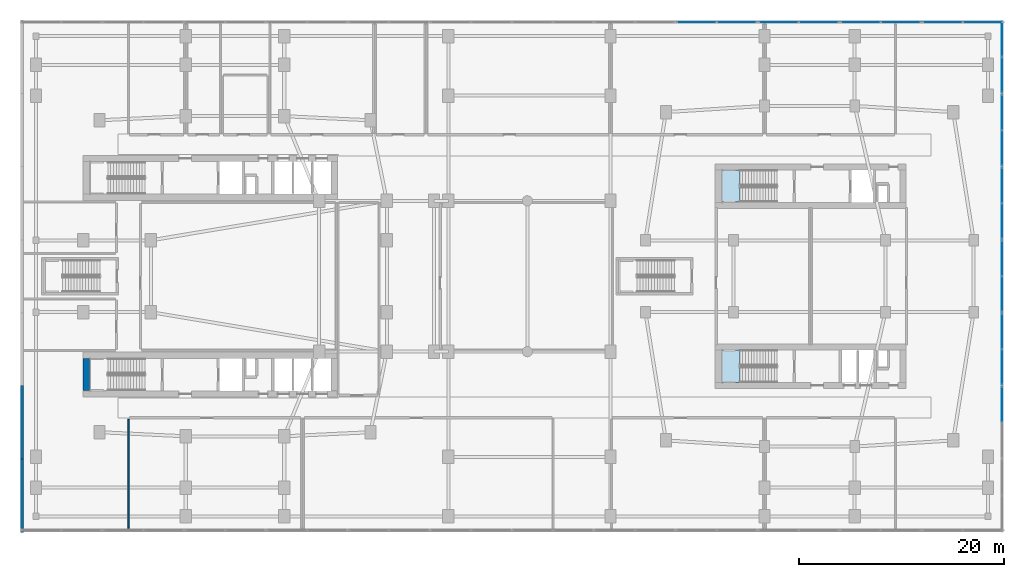
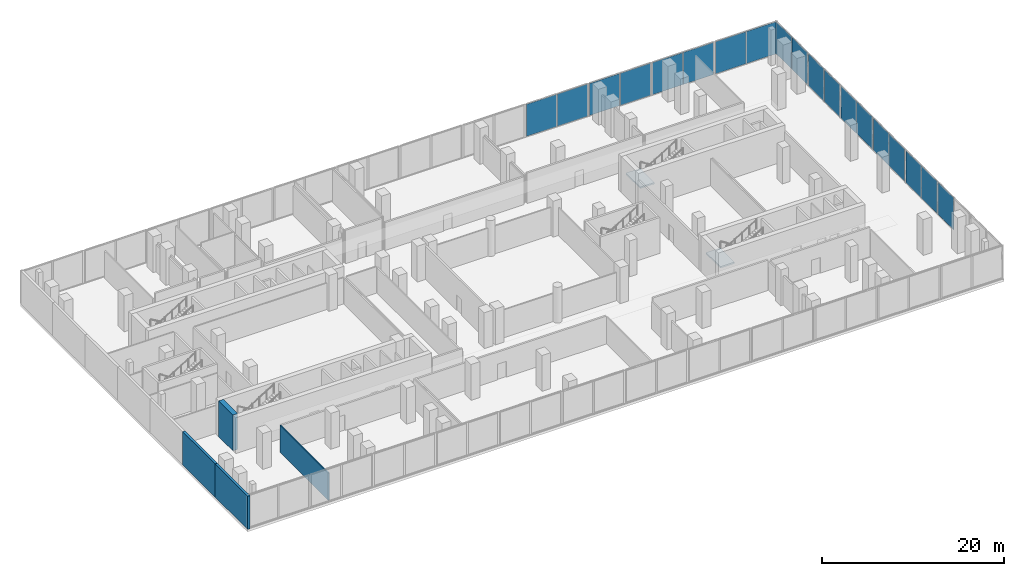
# One storey, part 12 of 23: 19 plates, 4 walls, 2 slabs, 12 elements without a shape of their own.
"""IFC4 building model written with IfcOpenShell, lengths in metres."""

from ifc_helpers import new_model, si_unit, derived_unit, direction, frame, frame_2d, origin, origin_2d, place, context, subcontext, project, spatial, polyline, rectangle, outline, extrude, material, layer, layer_set, type_object, element, aggregate, save


model = new_model("IFC4")

# Units and contexts
model_context = context("Model", 3, precision=1e-05, world=origin(), true_north=direction((0.0, 1.0)))
body_context = subcontext(model_context, "Body", "Model", "MODEL_VIEW")
ifc_project = project(units=[si_unit("LENGTHUNIT", "METRE"), si_unit("AREAUNIT", "SQUARE_METRE"), si_unit("VOLUMEUNIT", "CUBIC_METRE"), si_unit("PLANEANGLEUNIT", "RADIAN"), si_unit("MASSUNIT", "GRAM", prefix="KILO"), derived_unit("THERMALTRANSMITTANCEUNIT", [(si_unit("POWERUNIT", "WATT"), 1), (si_unit("LENGTHUNIT", "METRE"), -2), (si_unit("THERMODYNAMICTEMPERATUREUNIT", "KELVIN"), -1)])], contexts=[model_context])

# Site, building, storey
site_placement = place(None, origin())
site = spatial("IfcSite", under=ifc_project, at=site_placement, CompositionType="ELEMENT")
building_placement = place(site_placement, origin())
building = spatial("IfcBuilding", under=site, at=building_placement, Name="Kivonza Crest Hotel", CompositionType="ELEMENT")
storey_placement = place(building_placement, frame((0.0, 0.0, 5.39990234375)))
storey = spatial("IfcBuildingStorey", under=building, at=storey_placement, Name="L01", CompositionType="ELEMENT", Elevation=5.39990234375)

# Curtain wall, plate
ifc_material_1 = material(Name="Anodised bronze aluminium and low-E double glazing", Category="aluminium")
ifc_layer_1 = layer(ifc_material_1, 0.219970703125)
ifc_layer_set_1 = layer_set([ifc_layer_1], Name="Anodised bronze aluminium and low-E double glazing")
curtain_wall_type = type_object("IfcCurtainWallType", Name="CW-SYS-1", PredefinedType="NOTDEFINED", material=ifc_layer_set_1)
curtain_wall_1_placement = place(storey_placement, origin())
curtain_wall_1 = element("IfcCurtainWall", 1, at=curtain_wall_1_placement, inside=storey, type_object=curtain_wall_type, Name="L01 unitised curtain wall CW-POD-L01-14", PredefinedType="NOTDEFINED")
ifc_material_2 = material(Name="Acoustic triple-laminated low-E glazing", Category="glass")
ifc_layer_2 = layer(ifc_material_2, 0.035888671875)
ifc_layer_set_2 = layer_set([ifc_layer_2], Name="Acoustic triple-laminated low-E glazing")
plate_type = type_object("IfcPlateType", Name="CW-PNL-36", PredefinedType="CURTAIN_PANEL", material=ifc_layer_set_2)
plate_1_placement = place(storey_placement, frame((95.760009765625, 12.501220703125, 0.0751953125), z_axis=(0.0, 0.0, 1.0), x_axis=(0.0, 1.0, 0.0)))
plate_1 = element("IfcPlate", 2, at=plate_1_placement, type_object=plate_type, Name="CW-1 panel 2.1", PredefinedType="CURTAIN_PANEL", context=body_context, shape_type="SweptSolid", body=[
    extrude(rectangle(XDim=3.407470703125, YDim=0.035888671875, at=origin_2d()), origin(), (0.0, 0.0, 1.0), 4.300048828125),
])
aggregate(curtain_wall_1, [plate_1])

# Curtain wall, plates
curtain_wall_2_placement = place(storey_placement, origin())
curtain_wall_2 = element("IfcCurtainWall", 3, at=curtain_wall_2_placement, inside=storey, type_object=curtain_wall_type, Name="L01 unitised curtain wall CW-POD-L01-15", PredefinedType="NOTDEFINED")
plate_2_placement = place(storey_placement, frame((95.760009765625, 16.138671875, 0.0751953125), z_axis=(0.0, 0.0, 1.0), x_axis=(0.0, 1.0, 0.0)))
plate_2 = element("IfcPlate", 4, at=plate_2_placement, type_object=plate_type, Name="CW-1 panel 1.1", PredefinedType="CURTAIN_PANEL", context=body_context, shape_type="SweptSolid", body=[
    extrude(rectangle(XDim=3.407470703125, YDim=0.035888671875, at=origin_2d()), origin(), (0.0, 0.0, 1.0), 4.300048828125),
])
plate_3_placement = place(storey_placement, frame((95.760009765625, 19.621337890625, 0.0751953125), z_axis=(0.0, 0.0, 1.0), x_axis=(0.0, 1.0, 0.0)))
plate_3 = element("IfcPlate", 5, at=plate_3_placement, type_object=plate_type, Name="CW-1 panel 2.1", PredefinedType="CURTAIN_PANEL", context=body_context, shape_type="SweptSolid", body=[
    extrude(rectangle(XDim=3.407470703125, YDim=0.035888671875, at=origin_2d()), origin(), (0.0, 0.0, 1.0), 4.300048828125),
])
aggregate(curtain_wall_2, [plate_2, plate_3])

curtain_wall_3_placement = place(storey_placement, origin())
curtain_wall_3 = element("IfcCurtainWall", 6, at=curtain_wall_3_placement, inside=storey, type_object=curtain_wall_type, Name="L01 unitised curtain wall CW-POD-L01-16", PredefinedType="NOTDEFINED")
plate_4_placement = place(storey_placement, frame((95.760009765625, 23.2587890625, 0.0751953125), z_axis=(0.0, 0.0, 1.0), x_axis=(0.0, 1.0, 0.0)))
plate_4 = element("IfcPlate", 7, at=plate_4_placement, type_object=plate_type, Name="CW-1 panel 1.1", PredefinedType="CURTAIN_PANEL", context=body_context, shape_type="SweptSolid", body=[
    extrude(rectangle(XDim=3.407470703125, YDim=0.035888671875, at=origin_2d()), origin(), (0.0, 0.0, 1.0), 4.300048828125),
])
plate_5_placement = place(storey_placement, frame((95.760009765625, 26.7412109375, 0.0751953125), z_axis=(0.0, 0.0, 1.0), x_axis=(0.0, 1.0, 0.0)))
plate_5 = element("IfcPlate", 8, at=plate_5_placement, type_object=plate_type, Name="CW-1 panel 2.1", PredefinedType="CURTAIN_PANEL", context=body_context, shape_type="SweptSolid", body=[
    extrude(rectangle(XDim=3.407470703125, YDim=0.035888671875, at=origin_2d()), origin(), (0.0, 0.0, 1.0), 4.300048828125),
])
aggregate(curtain_wall_3, [plate_4, plate_5])

curtain_wall_4_placement = place(storey_placement, origin())
curtain_wall_4 = element("IfcCurtainWall", 9, at=curtain_wall_4_placement, inside=storey, type_object=curtain_wall_type, Name="L01 unitised curtain wall CW-POD-L01-17", PredefinedType="NOTDEFINED")
plate_6_placement = place(storey_placement, frame((95.760009765625, 30.378662109375, 0.0751953125), z_axis=(0.0, 0.0, 1.0), x_axis=(0.0, 1.0, 0.0)))
plate_6 = element("IfcPlate", 10, at=plate_6_placement, type_object=plate_type, Name="CW-1 panel 1.1", PredefinedType="CURTAIN_PANEL", context=body_context, shape_type="SweptSolid", body=[
    extrude(rectangle(XDim=3.407470703125, YDim=0.035888671875, at=origin_2d()), origin(), (0.0, 0.0, 1.0), 4.300048828125),
])
plate_7_placement = place(storey_placement, frame((95.760009765625, 33.861328125, 0.0751953125), z_axis=(0.0, 0.0, 1.0), x_axis=(0.0, 1.0, 0.0)))
plate_7 = element("IfcPlate", 11, at=plate_7_placement, type_object=plate_type, Name="CW-1 panel 2.1", PredefinedType="CURTAIN_PANEL", context=body_context, shape_type="SweptSolid", body=[
    extrude(rectangle(XDim=3.407470703125, YDim=0.035888671875, at=origin_2d()), origin(), (0.0, 0.0, 1.0), 4.300048828125),
])
aggregate(curtain_wall_4, [plate_6, plate_7])

curtain_wall_5_placement = place(storey_placement, origin())
curtain_wall_5 = element("IfcCurtainWall", 12, at=curtain_wall_5_placement, inside=storey, type_object=curtain_wall_type, Name="L01 unitised curtain wall CW-POD-L01-18", PredefinedType="NOTDEFINED")
plate_8_placement = place(storey_placement, frame((95.760009765625, 37.498779296875, 0.0751953125), z_axis=(0.0, 0.0, 1.0), x_axis=(0.0, 1.0, 0.0)))
plate_8 = element("IfcPlate", 13, at=plate_8_placement, type_object=plate_type, Name="CW-1 panel 1.1", PredefinedType="CURTAIN_PANEL", context=body_context, shape_type="SweptSolid", body=[
    extrude(rectangle(XDim=3.407470703125, YDim=0.035888671875, at=origin_2d()), origin(), (0.0, 0.0, 1.0), 4.300048828125),
])
plate_9_placement = place(storey_placement, frame((95.760009765625, 40.981201171875, 0.0751953125), z_axis=(0.0, 0.0, 1.0), x_axis=(0.0, 1.0, 0.0)))
plate_9 = element("IfcPlate", 14, at=plate_9_placement, type_object=plate_type, Name="CW-1 panel 2.1", PredefinedType="CURTAIN_PANEL", context=body_context, shape_type="SweptSolid", body=[
    extrude(rectangle(XDim=3.407470703125, YDim=0.035888671875, at=origin_2d()), origin(), (0.0, 0.0, 1.0), 4.300048828125),
])
aggregate(curtain_wall_5, [plate_8, plate_9])

curtain_wall_6_placement = place(storey_placement, origin())
curtain_wall_6 = element("IfcCurtainWall", 15, at=curtain_wall_6_placement, inside=storey, type_object=curtain_wall_type, Name="L01 unitised curtain wall CW-POD-L01-19", PredefinedType="NOTDEFINED")
plate_10_placement = place(storey_placement, frame((95.760009765625, 44.61865234375, 0.0751953125), z_axis=(0.0, 0.0, 1.0), x_axis=(0.0, 1.0, 0.0)))
plate_10 = element("IfcPlate", 16, at=plate_10_placement, type_object=plate_type, Name="CW-1 panel 1.1", PredefinedType="CURTAIN_PANEL", context=body_context, shape_type="SweptSolid", body=[
    extrude(rectangle(XDim=3.407470703125, YDim=0.035888671875, at=origin_2d()), origin(), (0.0, 0.0, 1.0), 4.300048828125),
])
plate_11_placement = place(storey_placement, frame((95.760009765625, 48.101318359375, 0.0751953125), z_axis=(0.0, 0.0, 1.0), x_axis=(0.0, 1.0, 0.0)))
plate_11 = element("IfcPlate", 17, at=plate_11_placement, type_object=plate_type, Name="CW-1 panel 2.1", PredefinedType="CURTAIN_PANEL", context=body_context, shape_type="SweptSolid", body=[
    extrude(rectangle(XDim=3.407470703125, YDim=0.035888671875, at=origin_2d()), origin(), (0.0, 0.0, 1.0), 4.300048828125),
])
aggregate(curtain_wall_6, [plate_10, plate_11])

curtain_wall_7_placement = place(storey_placement, origin())
curtain_wall_7 = element("IfcCurtainWall", 18, at=curtain_wall_7_placement, inside=storey, type_object=curtain_wall_type, Name="L01 unitised curtain wall CW-POD-L01-20", PredefinedType="NOTDEFINED")
plate_12_placement = place(storey_placement, frame((93.884521484375, 49.760009765625, 0.0751953125), z_axis=(0.0, 0.0, 1.0), x_axis=(-1.0, 0.0, 0.0)))
plate_12 = element("IfcPlate", 19, at=plate_12_placement, type_object=plate_type, Name="CW-1 panel 1.1", PredefinedType="CURTAIN_PANEL", context=body_context, shape_type="SweptSolid", body=[
    extrude(rectangle(XDim=3.841064453125, YDim=0.035888671875, at=origin_2d()), origin(), (0.0, 0.0, 1.0), 4.300048828125),
])
plate_13_placement = place(storey_placement, frame((89.968505859375, 49.760009765625, 0.0751953125), z_axis=(0.0, 0.0, 1.0), x_axis=(-1.0, 0.0, 0.0)))
plate_13 = element("IfcPlate", 20, at=plate_13_placement, type_object=plate_type, Name="CW-1 panel 2.1", PredefinedType="CURTAIN_PANEL", context=body_context, shape_type="SweptSolid", body=[
    extrude(rectangle(XDim=3.841064453125, YDim=0.035888671875, at=origin_2d()), origin(), (0.0, 0.0, 1.0), 4.300048828125),
])
aggregate(curtain_wall_7, [plate_12, plate_13])

curtain_wall_8_placement = place(storey_placement, origin())
curtain_wall_8 = element("IfcCurtainWall", 21, at=curtain_wall_8_placement, inside=storey, type_object=curtain_wall_type, Name="L01 unitised curtain wall CW-POD-L01-21", PredefinedType="NOTDEFINED")
plate_14_placement = place(storey_placement, frame((85.897705078125, 49.760009765625, 0.0751953125), z_axis=(0.0, 0.0, 1.0), x_axis=(-1.0, 0.0, 0.0)))
plate_14 = element("IfcPlate", 22, at=plate_14_placement, type_object=plate_type, Name="CW-1 panel 1.1", PredefinedType="CURTAIN_PANEL", context=body_context, shape_type="SweptSolid", body=[
    extrude(rectangle(XDim=3.840576171875, YDim=0.035888671875, at=origin_2d()), origin(), (0.0, 0.0, 1.0), 4.300048828125),
])
plate_15_placement = place(storey_placement, frame((81.982177734375, 49.760009765625, 0.0751953125), z_axis=(0.0, 0.0, 1.0), x_axis=(-1.0, 0.0, 0.0)))
plate_15 = element("IfcPlate", 23, at=plate_15_placement, type_object=plate_type, Name="CW-1 panel 2.1", PredefinedType="CURTAIN_PANEL", context=body_context, shape_type="SweptSolid", body=[
    extrude(rectangle(XDim=3.840576171875, YDim=0.035888671875, at=origin_2d()), origin(), (0.0, 0.0, 1.0), 4.300048828125),
])
aggregate(curtain_wall_8, [plate_14, plate_15])

curtain_wall_9_placement = place(storey_placement, origin())
curtain_wall_9 = element("IfcCurtainWall", 24, at=curtain_wall_9_placement, inside=storey, type_object=curtain_wall_type, Name="L01 unitised curtain wall CW-POD-L01-22", PredefinedType="NOTDEFINED")
plate_16_placement = place(storey_placement, frame((77.91162109375, 49.760009765625, 0.0751953125), z_axis=(0.0, 0.0, 1.0), x_axis=(-1.0, 0.0, 0.0)))
plate_16 = element("IfcPlate", 25, at=plate_16_placement, type_object=plate_type, Name="CW-1 panel 1.1", PredefinedType="CURTAIN_PANEL", context=body_context, shape_type="SweptSolid", body=[
    extrude(rectangle(XDim=3.841064453125, YDim=0.035888671875, at=origin_2d()), origin(), (0.0, 0.0, 1.0), 4.300048828125),
])
plate_17_placement = place(storey_placement, frame((73.99560546875, 49.760009765625, 0.0751953125), z_axis=(0.0, 0.0, 1.0), x_axis=(-1.0, 0.0, 0.0)))
plate_17 = element("IfcPlate", 26, at=plate_17_placement, type_object=plate_type, Name="CW-1 panel 2.1", PredefinedType="CURTAIN_PANEL", context=body_context, shape_type="SweptSolid", body=[
    extrude(rectangle(XDim=3.841064453125, YDim=0.035888671875, at=origin_2d()), origin(), (0.0, 0.0, 1.0), 4.300048828125),
])
aggregate(curtain_wall_9, [plate_16, plate_17])

curtain_wall_10_placement = place(storey_placement, origin())
curtain_wall_10 = element("IfcCurtainWall", 27, at=curtain_wall_10_placement, inside=storey, type_object=curtain_wall_type, Name="L01 unitised curtain wall CW-POD-L01-23", PredefinedType="NOTDEFINED")
plate_18_placement = place(storey_placement, frame((69.924560546875, 49.760009765625, 0.0751953125), z_axis=(0.0, 0.0, 1.0), x_axis=(-1.0, 0.0, 0.0)))
plate_18 = element("IfcPlate", 28, at=plate_18_placement, type_object=plate_type, Name="CW-1 panel 1.1", PredefinedType="CURTAIN_PANEL", context=body_context, shape_type="SweptSolid", body=[
    extrude(rectangle(XDim=3.841064453125, YDim=0.035888671875, at=origin_2d()), origin(), (0.0, 0.0, 1.0), 4.300048828125),
])
plate_19_placement = place(storey_placement, frame((66.008544921875, 49.760009765625, 0.0751953125), z_axis=(0.0, 0.0, 1.0), x_axis=(-1.0, 0.0, 0.0)))
plate_19 = element("IfcPlate", 29, at=plate_19_placement, type_object=plate_type, Name="CW-1 panel 2.1", PredefinedType="CURTAIN_PANEL", context=body_context, shape_type="SweptSolid", body=[
    extrude(rectangle(XDim=3.841064453125, YDim=0.035888671875, at=origin_2d()), origin(), (0.0, 0.0, 1.0), 4.300048828125),
])
aggregate(curtain_wall_10, [plate_18, plate_19])

# Stair, slab
ifc_material_3 = material(Name="Concrete C40/50", Category="concrete")
stair_type = type_object("IfcStairType", Name="ST-DL-28R", PredefinedType="HALF_TURN_STAIR", material=ifc_material_3)
stair_1_placement = place(storey_placement, origin())
stair_1 = element("IfcStair", 30, at=stair_1_placement, inside=storey, type_object=stair_type, Name="L01 Protected Exit Stair ST-T2-N", PredefinedType="HALF_TURN_STAIR")
ifc_layer_3 = layer(ifc_material_3, 0.199951171875)
ifc_layer_set_3 = layer_set([ifc_layer_3], Name="Concrete C40/50")
slab_type = type_object("IfcSlabType", Name="SL-LAND-200", PredefinedType="LANDING", material=ifc_layer_set_3)
slab_1_placement = place(storey_placement, frame((0.0, 0.0, 2.2001953125)))
slab_1 = element("IfcSlab", 31, at=slab_1_placement, type_object=slab_type, Name="ST-T2-N landing 1", PredefinedType="LANDING", context=body_context, shape_type="SweptSolid", body=[
    extrude(outline(polyline([(70.199951171875, 35.360107421875), (68.39990234375, 35.360107421875), (68.39990234375, 32.219970703125), (70.199951171875, 32.219970703125), (70.199951171875, 35.360107421875)])), origin(), (0.0, 0.0, 1.0), 0.199951171875),
])
aggregate(stair_1, [slab_1])

stair_2_placement = place(storey_placement, origin())
stair_2 = element("IfcStair", 32, at=stair_2_placement, inside=storey, type_object=stair_type, Name="L01 Protected Exit Stair ST-T2-S", PredefinedType="HALF_TURN_STAIR")
slab_2_placement = place(storey_placement, frame((0.0, 0.0, 2.2001953125)))
slab_2 = element("IfcSlab", 33, at=slab_2_placement, type_object=slab_type, Name="ST-T2-S landing 1", PredefinedType="LANDING", context=body_context, shape_type="SweptSolid", body=[
    extrude(outline(polyline([(70.199951171875, 17.800048828125), (68.39990234375, 17.800048828125), (68.39990234375, 14.659912109375), (70.199951171875, 14.659912109375), (70.199951171875, 17.800048828125)])), origin(), (0.0, 0.0, 1.0), 0.199951171875),
])
aggregate(stair_2, [slab_2])

# Walls
ifc_material_4 = material(Name="Concrete C60/75", Category="concrete")
ifc_layer_4 = layer(ifc_material_4, 0.60009765625)
ifc_layer_set_4 = layer_set([ifc_layer_4], Name="Concrete C60/75")
wall_type_1 = type_object("IfcWallType", Name="WL-CORE-600", PredefinedType="SHEAR", material=ifc_layer_set_4)
wall_1_placement = place(storey_placement, frame((6.5, 13.840087890625, 0.0), z_axis=(0.0, 0.0, 1.0), x_axis=(0.0, 1.0, 0.0)))
element("IfcWall", 34, at=wall_1_placement, inside=storey, type_object=wall_type_1, Name="Core wall T1-S West L01", PredefinedType="SHEAR", context=body_context, shape_type="SweptSolid", body=[
    extrude(rectangle(XDim=3.159912109375, YDim=0.60009765625, at=frame_2d((1.580078125, 0.0))), origin(), (0.0, 0.0, 1.0), 4.800048828125),
])
ifc_material_5 = material(Name="Precast concrete C40/50", Category="concrete")
ifc_layer_5 = layer(ifc_material_5, 0.300048828125)
ifc_layer_set_5 = layer_set([ifc_layer_5], Name="Precast concrete C40/50")
wall_type_2 = type_object("IfcWallType", Name="WL-EXT-300", PredefinedType="STANDARD", material=ifc_layer_set_5)
wall_2_placement = place(storey_placement, frame((0.22998046875, 14.327880859375, 0.0), z_axis=(0.0, 0.0, 1.0), x_axis=(0.0, -1.0, 0.0)))
element("IfcWall", 35, at=wall_2_placement, inside=storey, type_object=wall_type_2, Name="L01 POD exterior insulated wall 37", PredefinedType="STANDARD", context=body_context, shape_type="SweptSolid", body=[
    extrude(rectangle(XDim=7.135986328125, YDim=0.300048828125, at=frame_2d((3.56787109375, 0.0))), origin(), (0.0, 0.0, 1.0), 4.4501953125),
])
wall_3_placement = place(storey_placement, frame((0.22998046875, 7.2080078125, 0.0), z_axis=(0.0, 0.0, 1.0), x_axis=(0.0, -1.0, 0.0)))
element("IfcWall", 36, at=wall_3_placement, inside=storey, type_object=wall_type_2, Name="L01 POD exterior insulated wall 38", PredefinedType="STANDARD", context=body_context, shape_type="SweptSolid", body=[
    extrude(rectangle(XDim=7.18310546875, YDim=0.300048828125, at=frame_2d((3.591552734375, 0.0))), origin(), (0.0, 0.0, 1.0), 4.4501953125),
])
ifc_material_6 = material(Name="Twin-stud acoustic gypsum board partition", Category="gypsum")
ifc_layer_6 = layer(ifc_material_6, 0.14990234375)
ifc_layer_set_6 = layer_set([ifc_layer_6], Name="Twin-stud acoustic gypsum board partition")
wall_type_3 = type_object("IfcWallType", Name="WL-PART-150", PredefinedType="PARTITIONING", material=ifc_layer_set_6)
wall_4_placement = place(storey_placement, frame((10.60009765625, 0.449951171875, 0.0), z_axis=(0.0, 0.0, 1.0), x_axis=(0.0, 1.0, 0.0)))
element("IfcWall", 37, at=wall_4_placement, inside=storey, type_object=wall_type_3, Name="L01 interior partition WP-L01-KIT-MAIN-BW", PredefinedType="PARTITIONING", context=body_context, shape_type="SweptSolid", body=[
    extrude(rectangle(XDim=10.60009765625, YDim=0.14990234375, at=frame_2d((5.300048828125, 0.0))), origin(), (0.0, 0.0, 1.0), 3.625),
])

save(model, "model.ifc")
